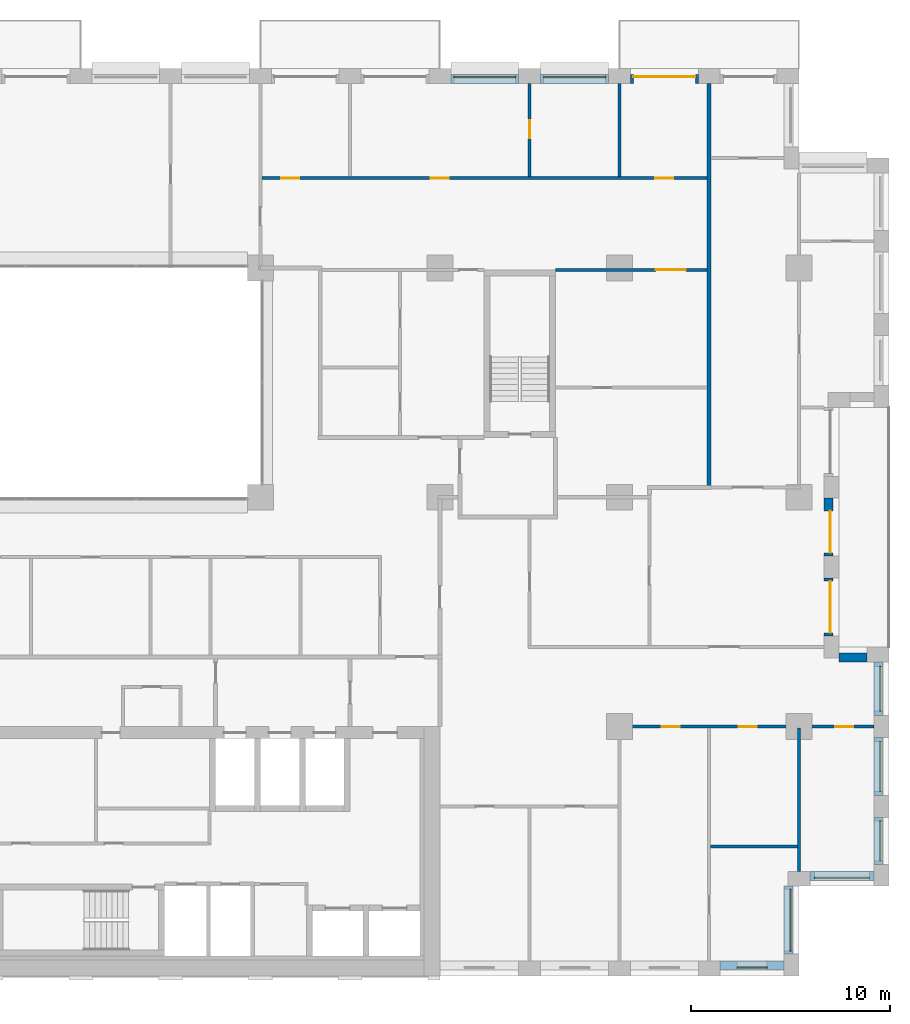
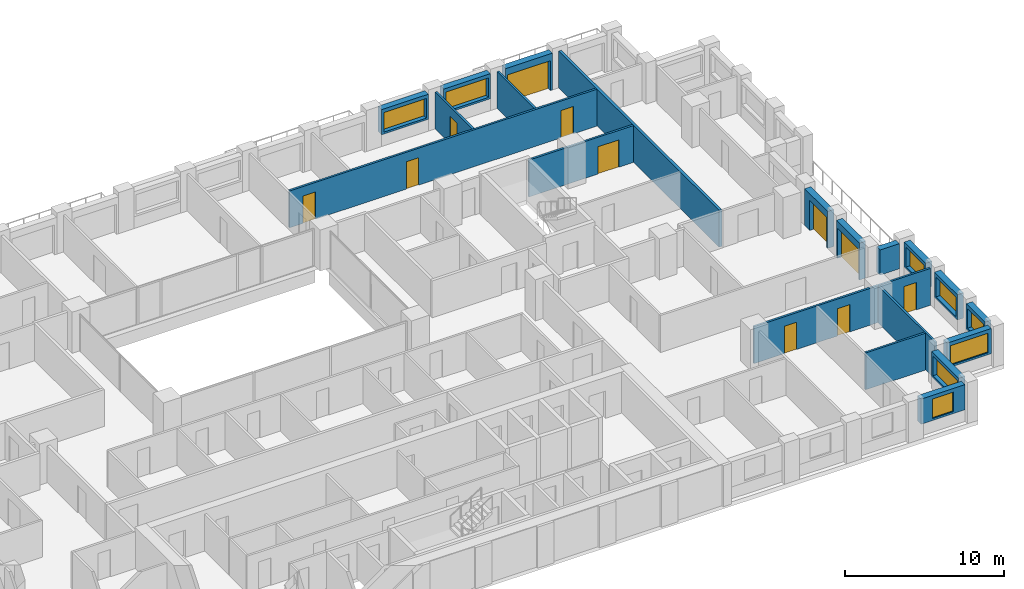
# One storey, part 14 of 16: 20 walls, 11 doors, 8 windows, 19 openings.
"""IFC4 building model written with IfcOpenShell, lengths in metres."""

from ifc_helpers import new_model, si_unit, direction, frame, frame_2d, origin, place, context, subcontext, project, spatial, rectangle, extrude, material, layer, layer_set, type_object, element, fill, save


model = new_model("IFC4")

# Units and contexts
model_context = context("Model", 3, precision=1e-05, world=origin(), true_north=direction((0.0, 1.0)))
body_context = subcontext(model_context, "Body", "Model", "MODEL_VIEW")
ifc_project = project(units=[si_unit("LENGTHUNIT", "METRE"), si_unit("AREAUNIT", "SQUARE_METRE"), si_unit("VOLUMEUNIT", "CUBIC_METRE"), si_unit("PLANEANGLEUNIT", "RADIAN"), si_unit("MASSUNIT", "GRAM", prefix="KILO")], contexts=[model_context])

# Site, building, storey
site_placement = place(None, origin())
site = spatial("IfcSite", under=ifc_project, at=site_placement, CompositionType="ELEMENT")
building_placement = place(site_placement, origin())
building = spatial("IfcBuilding", under=site, at=building_placement, Name="Brigalow Station Residences", CompositionType="ELEMENT")
storey_placement = place(building_placement, frame((0.0, 0.0, 99.300048828125)))
storey = spatial("IfcBuildingStorey", under=building, at=storey_placement, Name="L28", CompositionType="ELEMENT", Elevation=99.300048828125)

# Wall, opening, window
ifc_material_1 = material(Name="Clay brick masonry", Category="masonry")
ifc_layer_1 = layer(ifc_material_1, 0.449951171875)
ifc_layer_set_1 = layer_set([ifc_layer_1], Name="BRICK INFILL WALL 450")
wall_type_1 = type_object("IfcWallType", Name="BRICK INFILL WALL 450", PredefinedType="SOLIDWALL", material=ifc_layer_set_1)
wall_1_placement = place(storey_placement, frame((68.050048828125, 0.52490234375, 0.89990234375), z_axis=(0.0, 0.0, 1.0), x_axis=(1.0, 0.0, 0.0)))
wall_1 = element("IfcWall", 1, at=wall_1_placement, inside=storey, type_object=wall_type_1, Name="L28/ewall/W-L28-7", PredefinedType="SOLIDWALL", context=body_context, shape_type="SweptSolid", body=[
    extrude(rectangle(XDim=3.199951171875, YDim=0.449951171875, at=frame_2d((1.60009765625, 0.0))), origin(), (0.0, 0.0, 1.0), 1.929931640625),
])
opening_1_placement = place(wall_1_placement, frame((0.85009765625, 0.0, 0.14990234375)))
opening_1 = element("IfcOpeningElement", 2, at=opening_1_placement, cuts=wall_1, Name="Opening WT-1", PredefinedType="OPENING", context=body_context, shape_type="SweptSolid", body=[
    extrude(rectangle(XDim=1.5, YDim=1.5, at=frame_2d((0.75, 0.75))), frame((0.0, 0.23486328125, 0.0), z_axis=(0.0, -1.0, 0.0), x_axis=(1.0, 0.0, 0.0)), (0.0, 0.0, 1.0), 0.469970703125),
])
ifc_material_2 = material(Name="Anodised aluminium frame with double glazing", Category="aluminium")
window_type_1 = type_object("IfcWindowType", Name="WINDOW 1500x1500", PartitioningType="SINGLE_PANEL", PredefinedType="WINDOW", material=ifc_material_2)
window_1_placement = place(opening_1_placement, origin())
window_1 = element("IfcWindow", 3, at=window_1_placement, inside=storey, type_object=window_type_1, Name="L28/window/W-L28-7", OverallHeight=1.5, OverallWidth=1.5, PartitioningType="SINGLE_PANEL", PredefinedType="WINDOW", context=body_context, shape_type="SweptSolid", body=[
    extrude(rectangle(XDim=1.5, YDim=1.5, at=frame_2d((0.75, 0.75))), frame((0.0, -0.06494140625, 0.0), z_axis=(0.0, -1.0, 0.0), x_axis=(1.0, 0.0, 0.0)), (0.0, 0.0, 1.0), 0.06005859375),
])
fill(opening_1, window_1)

wall_2_placement = place(storey_placement, frame((71.47509765625, 1.10009765625, 0.89990234375), z_axis=(0.0, 0.0, 1.0), x_axis=(0.0, 1.0, 0.0)))
wall_2 = element("IfcWall", 4, at=wall_2_placement, inside=storey, type_object=wall_type_1, Name="L28/ewall/W-L28-8", PredefinedType="SOLIDWALL", context=body_context, shape_type="SweptSolid", body=[
    extrude(rectangle(XDim=3.39990234375, YDim=0.449951171875, at=frame_2d((1.699951171875, 0.0))), origin(), (0.0, 0.0, 1.0), 1.929931640625),
])
opening_2_placement = place(wall_2_placement, frame((0.14990234375, 0.0, 0.14990234375)))
opening_2 = element("IfcOpeningElement", 5, at=opening_2_placement, cuts=wall_2, Name="Opening WT-8", PredefinedType="OPENING", context=body_context, shape_type="SweptSolid", body=[
    extrude(rectangle(XDim=3.10009765625, YDim=1.5, at=frame_2d((1.550048828125, 0.75))), frame((0.0, 0.23486328125, 0.0), z_axis=(0.0, -1.0, 0.0), x_axis=(1.0, 0.0, 0.0)), (0.0, 0.0, 1.0), 0.469970703125),
])
ifc_material_3 = material(Name="Anodised aluminium frame with double glazing", Category="aluminium")
window_type_2 = type_object("IfcWindowType", Name="WINDOW 3100x1500", PartitioningType="SINGLE_PANEL", PredefinedType="WINDOW", material=ifc_material_3)
window_2_placement = place(opening_2_placement, origin())
window_2 = element("IfcWindow", 6, at=window_2_placement, inside=storey, type_object=window_type_2, Name="L28/window/W-L28-8", OverallHeight=1.5, OverallWidth=3.10009765625, PartitioningType="SINGLE_PANEL", PredefinedType="WINDOW", context=body_context, shape_type="SweptSolid", body=[
    extrude(rectangle(XDim=3.10009765625, YDim=1.5, at=frame_2d((1.550048828125, 0.75))), frame((0.0, -0.06494140625, 0.0), z_axis=(0.0, -1.0, 0.0), x_axis=(1.0, 0.0, 0.0)), (0.0, 0.0, 1.0), 0.06005859375),
])
fill(opening_2, window_2)

wall_3_placement = place(storey_placement, frame((72.550048828125, 5.02490234375, 0.89990234375), z_axis=(0.0, 0.0, 1.0), x_axis=(1.0, 0.0, 0.0)))
wall_3 = element("IfcWall", 7, at=wall_3_placement, inside=storey, type_object=wall_type_1, Name="L28/ewall/W-L28-9", PredefinedType="SOLIDWALL", context=body_context, shape_type="SweptSolid", body=[
    extrude(rectangle(XDim=3.199951171875, YDim=0.449951171875, at=frame_2d((1.60009765625, 0.0))), origin(), (0.0, 0.0, 1.0), 1.929931640625),
])
opening_3_placement = place(wall_3_placement, frame((0.22509765625, 0.0, 0.14990234375)))
opening_3 = element("IfcOpeningElement", 8, at=opening_3_placement, cuts=wall_3, Name="Opening WT-3", PredefinedType="OPENING", context=body_context, shape_type="SweptSolid", body=[
    extrude(rectangle(XDim=2.75, YDim=1.5, at=frame_2d((1.375, 0.75))), frame((0.0, 0.23486328125, 0.0), z_axis=(0.0, -1.0, 0.0), x_axis=(1.0, 0.0, 0.0)), (0.0, 0.0, 1.0), 0.469970703125),
])
ifc_material_4 = material(Name="Anodised aluminium frame with double glazing", Category="aluminium")
window_type_3 = type_object("IfcWindowType", Name="WINDOW 2750x1500", PartitioningType="SINGLE_PANEL", PredefinedType="WINDOW", material=ifc_material_4)
window_3_placement = place(opening_3_placement, origin())
window_3 = element("IfcWindow", 9, at=window_3_placement, inside=storey, type_object=window_type_3, Name="L28/window/W-L28-9", OverallHeight=1.5, OverallWidth=2.75, PartitioningType="SINGLE_PANEL", PredefinedType="WINDOW", context=body_context, shape_type="SweptSolid", body=[
    extrude(rectangle(XDim=2.75, YDim=1.5, at=frame_2d((1.375, 0.75))), frame((0.0, -0.06494140625, 0.0), z_axis=(0.0, -1.0, 0.0), x_axis=(1.0, 0.0, 0.0)), (0.0, 0.0, 1.0), 0.06005859375),
])
fill(opening_3, window_3)

wall_4_placement = place(storey_placement, frame((75.97509765625, 5.60009765625, 0.89990234375), z_axis=(0.0, 0.0, 1.0), x_axis=(0.0, 1.0, 0.0)))
wall_4 = element("IfcWall", 10, at=wall_4_placement, inside=storey, type_object=wall_type_1, Name="L28/ewall/W-L28-10", PredefinedType="SOLIDWALL", context=body_context, shape_type="SweptSolid", body=[
    extrude(rectangle(XDim=2.349853515625, YDim=0.449951171875, at=frame_2d((1.1748046875, 0.0))), origin(), (0.0, 0.0, 1.0), 1.929931640625),
])
opening_4_placement = place(wall_4_placement, frame((0.175048828125, 0.0, 0.14990234375)))
opening_4 = element("IfcOpeningElement", 11, at=opening_4_placement, cuts=wall_4, Name="Opening WT-7", PredefinedType="OPENING", context=body_context, shape_type="SweptSolid", body=[
    extrude(rectangle(XDim=2.0, YDim=1.5, at=frame_2d((1.0, 0.75))), frame((0.0, 0.23486328125, 0.0), z_axis=(0.0, -1.0, 0.0), x_axis=(1.0, 0.0, 0.0)), (0.0, 0.0, 1.0), 0.469970703125),
])
ifc_material_5 = material(Name="Anodised aluminium frame with double glazing", Category="aluminium")
window_type_4 = type_object("IfcWindowType", Name="WINDOW 2000x1500", PartitioningType="SINGLE_PANEL", PredefinedType="WINDOW", material=ifc_material_5)
window_4_placement = place(opening_4_placement, origin())
window_4 = element("IfcWindow", 12, at=window_4_placement, inside=storey, type_object=window_type_4, Name="L28/window/W-L28-10", OverallHeight=1.5, OverallWidth=2.0, PartitioningType="SINGLE_PANEL", PredefinedType="WINDOW", context=body_context, shape_type="SweptSolid", body=[
    extrude(rectangle(XDim=2.0, YDim=1.5, at=frame_2d((1.0, 0.75))), frame((0.0, -0.06494140625, 0.0), z_axis=(0.0, -1.0, 0.0), x_axis=(1.0, 0.0, 0.0)), (0.0, 0.0, 1.0), 0.06005859375),
])
fill(opening_4, window_4)

wall_5_placement = place(storey_placement, frame((75.97509765625, 9.050048828125, 0.89990234375), z_axis=(0.0, 0.0, 1.0), x_axis=(0.0, 1.0, 0.0)))
wall_5 = element("IfcWall", 13, at=wall_5_placement, inside=storey, type_object=wall_type_1, Name="L28/ewall/W-L28-11", PredefinedType="SOLIDWALL", context=body_context, shape_type="SweptSolid", body=[
    extrude(rectangle(XDim=2.89990234375, YDim=0.449951171875, at=frame_2d((1.449951171875, 0.0))), origin(), (0.0, 0.0, 1.0), 1.929931640625),
])
opening_5_placement = place(wall_5_placement, frame((0.199951171875, 0.0, 0.14990234375)))
opening_5 = element("IfcOpeningElement", 14, at=opening_5_placement, cuts=wall_5, Name="Opening WT-5", PredefinedType="OPENING", context=body_context, shape_type="SweptSolid", body=[
    extrude(rectangle(XDim=2.5, YDim=1.5, at=frame_2d((1.25, 0.75))), frame((0.0, 0.23486328125, 0.0), z_axis=(0.0, -1.0, 0.0), x_axis=(1.0, 0.0, 0.0)), (0.0, 0.0, 1.0), 0.469970703125),
])
ifc_material_6 = material(Name="Anodised aluminium frame with double glazing", Category="aluminium")
window_type_5 = type_object("IfcWindowType", Name="WINDOW 2500x1500", PartitioningType="SINGLE_PANEL", PredefinedType="WINDOW", material=ifc_material_6)
window_5_placement = place(opening_5_placement, origin())
window_5 = element("IfcWindow", 15, at=window_5_placement, inside=storey, type_object=window_type_5, Name="L28/window/W-L28-11", OverallHeight=1.5, OverallWidth=2.5, PartitioningType="SINGLE_PANEL", PredefinedType="WINDOW", context=body_context, shape_type="SweptSolid", body=[
    extrude(rectangle(XDim=2.5, YDim=1.5, at=frame_2d((1.25, 0.75))), frame((0.0, -0.06494140625, 0.0), z_axis=(0.0, -1.0, 0.0), x_axis=(1.0, 0.0, 0.0)), (0.0, 0.0, 1.0), 0.06005859375),
])
fill(opening_5, window_5)

wall_6_placement = place(storey_placement, frame((75.97509765625, 13.050048828125, 0.89990234375), z_axis=(0.0, 0.0, 1.0), x_axis=(0.0, 1.0, 0.0)))
wall_6 = element("IfcWall", 16, at=wall_6_placement, inside=storey, type_object=wall_type_1, Name="L28/ewall/W-L28-12", PredefinedType="SOLIDWALL", context=body_context, shape_type="SweptSolid", body=[
    extrude(rectangle(XDim=2.699951171875, YDim=0.449951171875, at=frame_2d((1.35009765625, 0.0))), origin(), (0.0, 0.0, 1.0), 1.929931640625),
])
opening_6_placement = place(wall_6_placement, frame((0.22509765625, 0.0, 0.14990234375)))
opening_6 = element("IfcOpeningElement", 17, at=opening_6_placement, cuts=wall_6, Name="Opening WT-6", PredefinedType="OPENING", context=body_context, shape_type="SweptSolid", body=[
    extrude(rectangle(XDim=2.25, YDim=1.5, at=frame_2d((1.125, 0.75))), frame((0.0, 0.23486328125, 0.0), z_axis=(0.0, -1.0, 0.0), x_axis=(1.0, 0.0, 0.0)), (0.0, 0.0, 1.0), 0.469970703125),
])
ifc_material_7 = material(Name="Anodised aluminium frame with double glazing", Category="aluminium")
window_type_6 = type_object("IfcWindowType", Name="WINDOW 2250x1500", PartitioningType="SINGLE_PANEL", PredefinedType="WINDOW", material=ifc_material_7)
window_6_placement = place(opening_6_placement, origin())
window_6 = element("IfcWindow", 18, at=window_6_placement, inside=storey, type_object=window_type_6, Name="L28/window/W-L28-12", OverallHeight=1.5, OverallWidth=2.25, PartitioningType="SINGLE_PANEL", PredefinedType="WINDOW", context=body_context, shape_type="SweptSolid", body=[
    extrude(rectangle(XDim=2.25, YDim=1.5, at=frame_2d((1.125, 0.75))), frame((0.0, -0.06494140625, 0.0), z_axis=(0.0, -1.0, 0.0), x_axis=(1.0, 0.0, 0.0)), (0.0, 0.0, 1.0), 0.06005859375),
])
fill(opening_6, window_6)

# Wall
wall_7_placement = place(storey_placement, frame((75.39990234375, 15.97509765625, 0.89990234375), z_axis=(0.0, 0.0, 1.0), x_axis=(-1.0, 0.0, 0.0)))
element("IfcWall", 19, at=wall_7_placement, inside=storey, type_object=wall_type_1, Name="L28/ewall/W-L28-13", PredefinedType="SOLIDWALL", context=body_context, shape_type="SweptSolid", body=[
    extrude(rectangle(XDim=1.39990234375, YDim=0.449951171875, at=frame_2d((0.699951171875, 0.0))), origin(), (0.0, 0.0, 1.0), 1.929931640625),
])

# Wall, opening, door
wall_8_placement = place(storey_placement, frame((73.47509765625, 17.050048828125, 0.0), z_axis=(0.0, 0.0, 1.0), x_axis=(0.0, 1.0, 0.0)))
wall_8 = element("IfcWall", 20, at=wall_8_placement, inside=storey, type_object=wall_type_1, Name="L28/ewall/W-L28-14", PredefinedType="SOLIDWALL", context=body_context, shape_type="SweptSolid", body=[
    extrude(rectangle(XDim=2.89990234375, YDim=0.449951171875, at=frame_2d((1.449951171875, 0.0))), origin(), (0.0, 0.0, 1.0), 2.829833984375),
])
opening_7_placement = place(wall_8_placement, frame((0.14990234375, 0.0, 0.0)))
opening_7 = element("IfcOpeningElement", 21, at=opening_7_placement, cuts=wall_8, Name="Opening D-B2600", PredefinedType="OPENING", context=body_context, shape_type="SweptSolid", body=[
    extrude(rectangle(XDim=2.60009765625, YDim=2.300048828125, at=frame_2d((1.300048828125, 1.14990234375))), frame((0.0, 0.23486328125, 0.0), z_axis=(0.0, -1.0, 0.0), x_axis=(1.0, 0.0, 0.0)), (0.0, 0.0, 1.0), 0.469970703125),
])
ifc_material_8 = material(Name="Anodised aluminium frame with double glazing", Category="aluminium")
door_type_1 = type_object("IfcDoorType", Name="BALCONY SLIDING DOOR 2600x2300", OperationType="SLIDING_TO_LEFT", PredefinedType="DOOR", material=ifc_material_8)
door_1_placement = place(opening_7_placement, origin())
door_1 = element("IfcDoor", 22, at=door_1_placement, inside=storey, type_object=door_type_1, Name="L28/balcony-door/W-L28-14", OperationType="SLIDING_TO_LEFT", OverallHeight=2.300048828125, OverallWidth=2.60009765625, PredefinedType="DOOR", context=body_context, shape_type="SweptSolid", body=[
    extrude(rectangle(XDim=2.60009765625, YDim=2.300048828125, at=frame_2d((1.300048828125, 1.14990234375))), frame((0.0, -0.06982421875, 0.0), z_axis=(0.0, -1.0, 0.0), x_axis=(1.0, 0.0, 0.0)), (0.0, 0.0, 1.0), 0.050048828125),
])
fill(opening_7, door_1)

wall_9_placement = place(storey_placement, frame((73.47509765625, 21.050048828125, 0.0), z_axis=(0.0, 0.0, 1.0), x_axis=(0.0, 1.0, 0.0)))
wall_9 = element("IfcWall", 23, at=wall_9_placement, inside=storey, type_object=wall_type_1, Name="L28/ewall/W-L28-15", PredefinedType="SOLIDWALL", context=body_context, shape_type="SweptSolid", body=[
    extrude(rectangle(XDim=2.89990234375, YDim=0.449951171875, at=frame_2d((1.449951171875, 0.0))), origin(), (0.0, 0.0, 1.0), 2.829833984375),
])
opening_8_placement = place(wall_9_placement, frame((0.1650390625, 0.0, 0.0)))
opening_8 = element("IfcOpeningElement", 24, at=opening_8_placement, cuts=wall_9, Name="Opening D-B2100", PredefinedType="OPENING", context=body_context, shape_type="SweptSolid", body=[
    extrude(rectangle(XDim=2.10009765625, YDim=2.300048828125, at=frame_2d((1.050048828125, 1.14990234375))), frame((0.0, 0.23486328125, 0.0), z_axis=(0.0, -1.0, 0.0), x_axis=(1.0, 0.0, 0.0)), (0.0, 0.0, 1.0), 0.469970703125),
])
ifc_material_9 = material(Name="Anodised aluminium frame with double glazing", Category="aluminium")
door_type_2 = type_object("IfcDoorType", Name="BALCONY SLIDING DOOR 2100x2300", OperationType="SLIDING_TO_LEFT", PredefinedType="DOOR", material=ifc_material_9)
door_2_placement = place(opening_8_placement, origin())
door_2 = element("IfcDoor", 25, at=door_2_placement, inside=storey, type_object=door_type_2, Name="L28/balcony-door/W-L28-15", OperationType="SLIDING_TO_LEFT", OverallHeight=2.300048828125, OverallWidth=2.10009765625, PredefinedType="DOOR", context=body_context, shape_type="SweptSolid", body=[
    extrude(rectangle(XDim=2.10009765625, YDim=2.300048828125, at=frame_2d((1.050048828125, 1.14990234375))), frame((0.0, -0.06982421875, 0.0), z_axis=(0.0, -1.0, 0.0), x_axis=(1.0, 0.0, 0.0)), (0.0, 0.0, 1.0), 0.050048828125),
])
fill(opening_8, door_2)

wall_10_placement = place(storey_placement, frame((66.949951171875, 44.97509765625, 0.0), z_axis=(0.0, 0.0, 1.0), x_axis=(-1.0, 0.0, 0.0)))
wall_10 = element("IfcWall", 26, at=wall_10_placement, inside=storey, type_object=wall_type_1, Name="L28/ewall/W-L28-24", PredefinedType="SOLIDWALL", context=body_context, shape_type="SweptSolid", body=[
    extrude(rectangle(XDim=3.39990234375, YDim=0.449951171875, at=frame_2d((1.699951171875, 0.0))), origin(), (0.0, 0.0, 1.0), 2.829833984375),
])
opening_9_placement = place(wall_10_placement, frame((0.14990234375, 0.0, 0.0)))
opening_9 = element("IfcOpeningElement", 27, at=opening_9_placement, cuts=wall_10, Name="Opening D-B3100", PredefinedType="OPENING", context=body_context, shape_type="SweptSolid", body=[
    extrude(rectangle(XDim=3.10009765625, YDim=2.300048828125, at=frame_2d((1.550048828125, 1.14990234375))), frame((0.0, 0.23486328125, 0.0), z_axis=(0.0, -1.0, 0.0), x_axis=(1.0, 0.0, 0.0)), (0.0, 0.0, 1.0), 0.469970703125),
])
ifc_material_10 = material(Name="Anodised aluminium frame with double glazing", Category="aluminium")
door_type_3 = type_object("IfcDoorType", Name="BALCONY SLIDING DOOR 3100x2300", OperationType="SLIDING_TO_LEFT", PredefinedType="DOOR", material=ifc_material_10)
door_3_placement = place(opening_9_placement, origin())
door_3 = element("IfcDoor", 28, at=door_3_placement, inside=storey, type_object=door_type_3, Name="L28/balcony-door/W-L28-24", OperationType="SLIDING_TO_LEFT", OverallHeight=2.300048828125, OverallWidth=3.10009765625, PredefinedType="DOOR", context=body_context, shape_type="SweptSolid", body=[
    extrude(rectangle(XDim=3.10009765625, YDim=2.300048828125, at=frame_2d((1.550048828125, 1.14990234375))), frame((0.0, -0.06982421875, 0.0), z_axis=(0.0, -1.0, 0.0), x_axis=(1.0, 0.0, 0.0)), (0.0, 0.0, 1.0), 0.050048828125),
])
fill(opening_9, door_3)

# Wall, opening, window
wall_11_placement = place(storey_placement, frame((62.449951171875, 44.97509765625, 0.89990234375), z_axis=(0.0, 0.0, 1.0), x_axis=(-1.0, 0.0, 0.0)))
wall_11 = element("IfcWall", 29, at=wall_11_placement, inside=storey, type_object=wall_type_1, Name="L28/ewall/W-L28-25", PredefinedType="SOLIDWALL", context=body_context, shape_type="SweptSolid", body=[
    extrude(rectangle(XDim=3.39990234375, YDim=0.449951171875, at=frame_2d((1.699951171875, 0.0))), origin(), (0.0, 0.0, 1.0), 1.929931640625),
])
opening_10_placement = place(wall_11_placement, frame((0.14990234375, 0.0, 0.14990234375)))
opening_10 = element("IfcOpeningElement", 30, at=opening_10_placement, cuts=wall_11, Name="Opening WT-8", PredefinedType="OPENING", context=body_context, shape_type="SweptSolid", body=[
    extrude(rectangle(XDim=3.10009765625, YDim=1.5, at=frame_2d((1.550048828125, 0.75))), frame((0.0, 0.23486328125, 0.0), z_axis=(0.0, -1.0, 0.0), x_axis=(1.0, 0.0, 0.0)), (0.0, 0.0, 1.0), 0.469970703125),
])
window_7_placement = place(opening_10_placement, origin())
window_7 = element("IfcWindow", 31, at=window_7_placement, inside=storey, type_object=window_type_2, Name="L28/window/W-L28-25", OverallHeight=1.5, OverallWidth=3.10009765625, PartitioningType="SINGLE_PANEL", PredefinedType="WINDOW", context=body_context, shape_type="SweptSolid", body=[
    extrude(rectangle(XDim=3.10009765625, YDim=1.5, at=frame_2d((1.550048828125, 0.75))), frame((0.0, -0.06494140625, 0.0), z_axis=(0.0, -1.0, 0.0), x_axis=(1.0, 0.0, 0.0)), (0.0, 0.0, 1.0), 0.06005859375),
])
fill(opening_10, window_7)

wall_12_placement = place(storey_placement, frame((57.949951171875, 44.97509765625, 0.89990234375), z_axis=(0.0, 0.0, 1.0), x_axis=(-1.0, 0.0, 0.0)))
wall_12 = element("IfcWall", 32, at=wall_12_placement, inside=storey, type_object=wall_type_1, Name="L28/ewall/W-L28-26", PredefinedType="SOLIDWALL", context=body_context, shape_type="SweptSolid", body=[
    extrude(rectangle(XDim=3.39990234375, YDim=0.449951171875, at=frame_2d((1.699951171875, 0.0))), origin(), (0.0, 0.0, 1.0), 1.929931640625),
])
opening_11_placement = place(wall_12_placement, frame((0.14990234375, 0.0, 0.14990234375)))
opening_11 = element("IfcOpeningElement", 33, at=opening_11_placement, cuts=wall_12, Name="Opening WT-8", PredefinedType="OPENING", context=body_context, shape_type="SweptSolid", body=[
    extrude(rectangle(XDim=3.10009765625, YDim=1.5, at=frame_2d((1.550048828125, 0.75))), frame((0.0, 0.23486328125, 0.0), z_axis=(0.0, -1.0, 0.0), x_axis=(1.0, 0.0, 0.0)), (0.0, 0.0, 1.0), 0.469970703125),
])
window_8_placement = place(opening_11_placement, origin())
window_8 = element("IfcWindow", 34, at=window_8_placement, inside=storey, type_object=window_type_2, Name="L28/window/W-L28-26", OverallHeight=1.5, OverallWidth=3.10009765625, PartitioningType="SINGLE_PANEL", PredefinedType="WINDOW", context=body_context, shape_type="SweptSolid", body=[
    extrude(rectangle(XDim=3.10009765625, YDim=1.5, at=frame_2d((1.550048828125, 0.75))), frame((0.0, -0.06494140625, 0.0), z_axis=(0.0, -1.0, 0.0), x_axis=(1.0, 0.0, 0.0)), (0.0, 0.0, 1.0), 0.06005859375),
])
fill(opening_11, window_8)

# Wall, openings, doors
ifc_material_11 = material(Name="Plasterboard on steel stud partition", Category="steel")
ifc_layer_2 = layer(ifc_material_11, 0.14990234375)
ifc_layer_set_2 = layer_set([ifc_layer_2], Name="FLAT PARTITION 150")
wall_type_2 = type_object("IfcWallType", Name="FLAT PARTITION 150", PredefinedType="PARTITIONING", material=ifc_layer_set_2)
wall_13_placement = place(storey_placement, frame((62.925048828125, 12.5, 0.0), z_axis=(0.0, 0.0, 1.0), x_axis=(1.0, 0.0, 0.0)))
wall_13 = element("IfcWall", 35, at=wall_13_placement, inside=storey, type_object=wall_type_2, Name="PW-2B17", PredefinedType="PARTITIONING", context=body_context, shape_type="SweptSolid", body=[
    extrude(rectangle(XDim=12.824951171875, YDim=0.14990234375, at=frame_2d((6.41259765625, 0.0))), origin(), (0.0, 0.0, 1.0), 2.829833984375),
])
opening_12_placement = place(wall_13_placement, frame((6.050048828125, 0.0, 0.0)))
opening_12 = element("IfcOpeningElement", 36, at=opening_12_placement, cuts=wall_13, Name="Opening D-2B35", PredefinedType="OPENING", context=body_context, shape_type="SweptSolid", body=[
    extrude(rectangle(XDim=0.89990234375, YDim=2.10009765625, at=frame_2d((0.449951171875, 1.050048828125))), frame((0.0, 0.0849609375, 0.0), z_axis=(0.0, -1.0, 0.0), x_axis=(1.0, 0.0, 0.0)), (0.0, 0.0, 1.0), 0.169921875),
])
opening_13_placement = place(wall_13_placement, frame((2.199951171875, 0.0, 0.0)))
opening_13 = element("IfcOpeningElement", 37, at=opening_13_placement, cuts=wall_13, Name="Opening D-2B37", PredefinedType="OPENING", context=body_context, shape_type="SweptSolid", body=[
    extrude(rectangle(XDim=0.89990234375, YDim=2.10009765625, at=frame_2d((0.449951171875, 1.050048828125))), frame((0.0, 0.0849609375, 0.0), z_axis=(0.0, -1.0, 0.0), x_axis=(1.0, 0.0, 0.0)), (0.0, 0.0, 1.0), 0.169921875),
])
opening_14_placement = place(wall_13_placement, frame((10.89990234375, 0.0, 0.0)))
opening_14 = element("IfcOpeningElement", 38, at=opening_14_placement, cuts=wall_13, Name="Opening D-2B39", PredefinedType="OPENING", context=body_context, shape_type="SweptSolid", body=[
    extrude(rectangle(XDim=0.89990234375, YDim=2.10009765625, at=frame_2d((0.449951171875, 1.050048828125))), frame((0.0, 0.0849609375, 0.0), z_axis=(0.0, -1.0, 0.0), x_axis=(1.0, 0.0, 0.0)), (0.0, 0.0, 1.0), 0.169921875),
])
ifc_material_12 = material(Name="Solid-core timber door leaf", Category="wood")
door_type_4 = type_object("IfcDoorType", Name="INTERNAL DOOR 900 x 2100", OperationType="SINGLE_SWING_LEFT", PredefinedType="DOOR", material=ifc_material_12)
door_4_placement = place(opening_12_placement, frame((0.89990234375, 0.0, 0.0), z_axis=(0.0, 0.0, 1.0), x_axis=(-1.0, 0.0, 0.0)))
door_4 = element("IfcDoor", 39, at=door_4_placement, inside=storey, type_object=door_type_4, Name="D-2B35", OperationType="SINGLE_SWING_RIGHT", OverallHeight=2.10009765625, OverallWidth=0.89990234375, PredefinedType="DOOR", context=body_context, shape_type="SweptSolid", body=[
    extrude(rectangle(XDim=0.89990234375, YDim=2.10009765625, at=frame_2d((0.449951171875, 1.050048828125))), frame((0.0, 0.02490234375, 0.0), z_axis=(0.0, -1.0, 0.0), x_axis=(1.0, 0.0, 0.0)), (0.0, 0.0, 1.0), 0.050048828125),
])
fill(opening_12, door_4)
door_5_placement = place(opening_13_placement, frame((0.89990234375, 0.0, 0.0), z_axis=(0.0, 0.0, 1.0), x_axis=(-1.0, 0.0, 0.0)))
door_5 = element("IfcDoor", 40, at=door_5_placement, inside=storey, type_object=door_type_4, Name="D-2B37", OperationType="SINGLE_SWING_LEFT", OverallHeight=2.10009765625, OverallWidth=0.89990234375, PredefinedType="DOOR", context=body_context, shape_type="SweptSolid", body=[
    extrude(rectangle(XDim=0.89990234375, YDim=2.10009765625, at=frame_2d((0.449951171875, 1.050048828125))), frame((0.0, 0.02490234375, 0.0), z_axis=(0.0, -1.0, 0.0), x_axis=(1.0, 0.0, 0.0)), (0.0, 0.0, 1.0), 0.050048828125),
])
fill(opening_13, door_5)
door_6_placement = place(opening_14_placement, frame((0.89990234375, 0.0, 0.0), z_axis=(0.0, 0.0, 1.0), x_axis=(-1.0, 0.0, 0.0)))
door_6 = element("IfcDoor", 41, at=door_6_placement, inside=storey, type_object=door_type_4, Name="D-2B39", OperationType="SINGLE_SWING_LEFT", OverallHeight=2.10009765625, OverallWidth=0.89990234375, PredefinedType="DOOR", context=body_context, shape_type="SweptSolid", body=[
    extrude(rectangle(XDim=0.89990234375, YDim=2.10009765625, at=frame_2d((0.449951171875, 1.050048828125))), frame((0.0, 0.02490234375, 0.0), z_axis=(0.0, -1.0, 0.0), x_axis=(1.0, 0.0, 0.0)), (0.0, 0.0, 1.0), 0.050048828125),
])
fill(opening_14, door_6)

# Wall, opening, door
wall_14_placement = place(storey_placement, frame((59.800048828125, 35.39990234375, 0.0), z_axis=(0.0, 0.0, 1.0), x_axis=(1.0, 0.0, 0.0)))
wall_14 = element("IfcWall", 42, at=wall_14_placement, inside=storey, type_object=wall_type_2, Name="PW-2B29", PredefinedType="PARTITIONING", context=body_context, shape_type="SweptSolid", body=[
    extrude(rectangle(XDim=7.599853515625, YDim=0.14990234375, at=frame_2d((3.7998046875, 0.0))), origin(), (0.0, 0.0, 1.0), 2.829833984375),
])
opening_15_placement = place(wall_14_placement, frame((5.02490234375, 0.0, 0.0)))
opening_15 = element("IfcOpeningElement", 43, at=opening_15_placement, cuts=wall_14, Name="Opening D-2B31", PredefinedType="OPENING", context=body_context, shape_type="SweptSolid", body=[
    extrude(rectangle(XDim=1.5, YDim=2.10009765625, at=frame_2d((0.75, 1.050048828125))), frame((0.0, 0.0849609375, 0.0), z_axis=(0.0, -1.0, 0.0), x_axis=(1.0, 0.0, 0.0)), (0.0, 0.0, 1.0), 0.169921875),
])
ifc_material_13 = material(Name="Solid-core timber door leaf", Category="wood")
door_type_5 = type_object("IfcDoorType", Name="INTERNAL DOUBLE DOOR 1500 x 2100", OperationType="DOUBLE_DOOR_SINGLE_SWING", PredefinedType="DOOR", material=ifc_material_13)
door_7_placement = place(opening_15_placement, frame((1.5, 0.0, 0.0), z_axis=(0.0, 0.0, 1.0), x_axis=(-1.0, 0.0, 0.0)))
door_7 = element("IfcDoor", 44, at=door_7_placement, inside=storey, type_object=door_type_5, Name="D-2B31", OperationType="DOUBLE_DOOR_SINGLE_SWING", OverallHeight=2.10009765625, OverallWidth=1.5, PredefinedType="DOOR", context=body_context, shape_type="SweptSolid", body=[
    extrude(rectangle(XDim=1.5, YDim=2.10009765625, at=frame_2d((0.75, 1.050048828125))), frame((0.0, 0.02490234375, 0.0), z_axis=(0.0, -1.0, 0.0), x_axis=(1.0, 0.0, 0.0)), (0.0, 0.0, 1.0), 0.050048828125),
])
fill(opening_15, door_7)

# Wall, openings, doors
wall_15_placement = place(storey_placement, frame((45.074951171875, 40.0, 0.0), z_axis=(0.0, 0.0, 1.0), x_axis=(1.0, 0.0, 0.0)))
wall_15 = element("IfcWall", 45, at=wall_15_placement, inside=storey, type_object=wall_type_2, Name="PW-2B34", PredefinedType="PARTITIONING", context=body_context, shape_type="SweptSolid", body=[
    extrude(rectangle(XDim=22.324951171875, YDim=0.14990234375, at=frame_2d((11.16259765625, 0.0))), origin(), (0.0, 0.0, 1.0), 2.829833984375),
])
opening_16_placement = place(wall_15_placement, frame((0.97509765625, 0.0, 0.0)))
opening_16 = element("IfcOpeningElement", 46, at=opening_16_placement, cuts=wall_15, Name="Opening D-2B27", PredefinedType="OPENING", context=body_context, shape_type="SweptSolid", body=[
    extrude(rectangle(XDim=0.89990234375, YDim=2.10009765625, at=frame_2d((0.449951171875, 1.050048828125))), frame((0.0, 0.0849609375, 0.0), z_axis=(0.0, -1.0, 0.0), x_axis=(1.0, 0.0, 0.0)), (0.0, 0.0, 1.0), 0.169921875),
])
opening_17_placement = place(wall_15_placement, frame((8.47509765625, 0.0, 0.0)))
opening_17 = element("IfcOpeningElement", 47, at=opening_17_placement, cuts=wall_15, Name="Opening D-2B28", PredefinedType="OPENING", context=body_context, shape_type="SweptSolid", body=[
    extrude(rectangle(XDim=0.89990234375, YDim=2.10009765625, at=frame_2d((0.449951171875, 1.050048828125))), frame((0.0, 0.0849609375, 0.0), z_axis=(0.0, -1.0, 0.0), x_axis=(1.0, 0.0, 0.0)), (0.0, 0.0, 1.0), 0.169921875),
])
opening_18_placement = place(wall_15_placement, frame((19.72509765625, 0.0, 0.0)))
opening_18 = element("IfcOpeningElement", 48, at=opening_18_placement, cuts=wall_15, Name="Opening D-2B30", PredefinedType="OPENING", context=body_context, shape_type="SweptSolid", body=[
    extrude(rectangle(XDim=0.89990234375, YDim=2.10009765625, at=frame_2d((0.449951171875, 1.050048828125))), frame((0.0, 0.0849609375, 0.0), z_axis=(0.0, -1.0, 0.0), x_axis=(1.0, 0.0, 0.0)), (0.0, 0.0, 1.0), 0.169921875),
])
door_8_placement = place(opening_16_placement, origin())
door_8 = element("IfcDoor", 49, at=door_8_placement, inside=storey, type_object=door_type_4, Name="D-2B27", OperationType="SINGLE_SWING_LEFT", OverallHeight=2.10009765625, OverallWidth=0.89990234375, PredefinedType="DOOR", context=body_context, shape_type="SweptSolid", body=[
    extrude(rectangle(XDim=0.89990234375, YDim=2.10009765625, at=frame_2d((0.449951171875, 1.050048828125))), frame((0.0, 0.02490234375, 0.0), z_axis=(0.0, -1.0, 0.0), x_axis=(1.0, 0.0, 0.0)), (0.0, 0.0, 1.0), 0.050048828125),
])
fill(opening_16, door_8)
door_9_placement = place(opening_17_placement, origin())
door_9 = element("IfcDoor", 50, at=door_9_placement, inside=storey, type_object=door_type_4, Name="D-2B28", OperationType="SINGLE_SWING_RIGHT", OverallHeight=2.10009765625, OverallWidth=0.89990234375, PredefinedType="DOOR", context=body_context, shape_type="SweptSolid", body=[
    extrude(rectangle(XDim=0.89990234375, YDim=2.10009765625, at=frame_2d((0.449951171875, 1.050048828125))), frame((0.0, 0.02490234375, 0.0), z_axis=(0.0, -1.0, 0.0), x_axis=(1.0, 0.0, 0.0)), (0.0, 0.0, 1.0), 0.050048828125),
])
fill(opening_17, door_9)
door_10_placement = place(opening_18_placement, origin())
door_10 = element("IfcDoor", 51, at=door_10_placement, inside=storey, type_object=door_type_4, Name="D-2B30", OperationType="SINGLE_SWING_RIGHT", OverallHeight=2.10009765625, OverallWidth=0.89990234375, PredefinedType="DOOR", context=body_context, shape_type="SweptSolid", body=[
    extrude(rectangle(XDim=0.89990234375, YDim=2.10009765625, at=frame_2d((0.449951171875, 1.050048828125))), frame((0.0, 0.02490234375, 0.0), z_axis=(0.0, -1.0, 0.0), x_axis=(1.0, 0.0, 0.0)), (0.0, 0.0, 1.0), 0.050048828125),
])
fill(opening_18, door_10)

# Wall
wall_16_placement = place(storey_placement, frame((67.574951171875, 6.5, 0.0), z_axis=(0.0, 0.0, 1.0), x_axis=(1.0, 0.0, 0.0)))
element("IfcWall", 52, at=wall_16_placement, inside=storey, type_object=wall_type_2, Name="PW-2B36", PredefinedType="PARTITIONING", context=body_context, shape_type="SweptSolid", body=[
    extrude(rectangle(XDim=4.35009765625, YDim=0.14990234375, at=frame_2d((2.175048828125, 0.0))), origin(), (0.0, 0.0, 1.0), 2.829833984375),
])

# Wall, opening, door
wall_17_placement = place(storey_placement, frame((58.5, 40.074951171875, 0.0), z_axis=(0.0, 0.0, 1.0), x_axis=(0.0, 1.0, 0.0)))
wall_17 = element("IfcWall", 53, at=wall_17_placement, inside=storey, type_object=wall_type_2, Name="PW-2B62", PredefinedType="PARTITIONING", context=body_context, shape_type="SweptSolid", body=[
    extrude(rectangle(XDim=4.675048828125, YDim=0.14990234375, at=frame_2d((2.33740234375, 0.0))), origin(), (0.0, 0.0, 1.0), 2.829833984375),
])
opening_19_placement = place(wall_17_placement, frame((1.925048828125, 0.0, 0.0)))
opening_19 = element("IfcOpeningElement", 54, at=opening_19_placement, cuts=wall_17, Name="Opening D-2B29", PredefinedType="OPENING", context=body_context, shape_type="SweptSolid", body=[
    extrude(rectangle(XDim=0.89990234375, YDim=2.10009765625, at=frame_2d((0.449951171875, 1.050048828125))), frame((0.0, 0.0849609375, 0.0), z_axis=(0.0, -1.0, 0.0), x_axis=(1.0, 0.0, 0.0)), (0.0, 0.0, 1.0), 0.169921875),
])
door_11_placement = place(opening_19_placement, frame((0.89990234375, 0.0, 0.0), z_axis=(0.0, 0.0, 1.0), x_axis=(-1.0, 0.0, 0.0)))
door_11 = element("IfcDoor", 55, at=door_11_placement, inside=storey, type_object=door_type_4, Name="D-2B29", OperationType="SINGLE_SWING_LEFT", OverallHeight=2.10009765625, OverallWidth=0.89990234375, PredefinedType="DOOR", context=body_context, shape_type="SweptSolid", body=[
    extrude(rectangle(XDim=0.89990234375, YDim=2.10009765625, at=frame_2d((0.449951171875, 1.050048828125))), frame((0.0, 0.02490234375, 0.0), z_axis=(0.0, -1.0, 0.0), x_axis=(1.0, 0.0, 0.0)), (0.0, 0.0, 1.0), 0.050048828125),
])
fill(opening_19, door_11)

# Walls
wall_18_placement = place(storey_placement, frame((63.0, 40.074951171875, 0.0), z_axis=(0.0, 0.0, 1.0), x_axis=(0.0, 1.0, 0.0)))
element("IfcWall", 56, at=wall_18_placement, inside=storey, type_object=wall_type_2, Name="PW-2B64", PredefinedType="PARTITIONING", context=body_context, shape_type="SweptSolid", body=[
    extrude(rectangle(XDim=4.675048828125, YDim=0.14990234375, at=frame_2d((2.33740234375, 0.0))), origin(), (0.0, 0.0, 1.0), 2.829833984375),
])
wall_19_placement = place(storey_placement, frame((72.0, 5.25, 0.0), z_axis=(0.0, 0.0, 1.0), x_axis=(0.0, 1.0, 0.0)))
element("IfcWall", 57, at=wall_19_placement, inside=storey, type_object=wall_type_2, Name="PW-2B67", PredefinedType="PARTITIONING", context=body_context, shape_type="SweptSolid", body=[
    extrude(rectangle(XDim=7.175048828125, YDim=0.14990234375, at=frame_2d((3.58740234375, 0.0))), origin(), (0.0, 0.0, 1.0), 2.829833984375),
])
ifc_material_14 = material(Name="Plasterboard on steel stud partition", Category="steel")
ifc_layer_3 = layer(ifc_material_14, 0.199951171875)
ifc_layer_set_3 = layer_set([ifc_layer_3], Name="PARTY AND CORRIDOR WALL 200")
wall_type_3 = type_object("IfcWallType", Name="PARTY AND CORRIDOR WALL 200", PredefinedType="PARTITIONING", material=ifc_layer_set_3)
wall_20_placement = place(storey_placement, frame((67.5, 24.574951171875, 0.0), z_axis=(0.0, 0.0, 1.0), x_axis=(0.0, 1.0, 0.0)))
element("IfcWall", 58, at=wall_20_placement, inside=storey, type_object=wall_type_3, Name="PW-2B58", PredefinedType="PARTITIONING", context=body_context, shape_type="SweptSolid", body=[
    extrude(rectangle(XDim=20.175048828125, YDim=0.199951171875, at=frame_2d((10.08740234375, 0.0))), origin(), (0.0, 0.0, 1.0), 2.829833984375),
])

save(model, "model.ifc")
